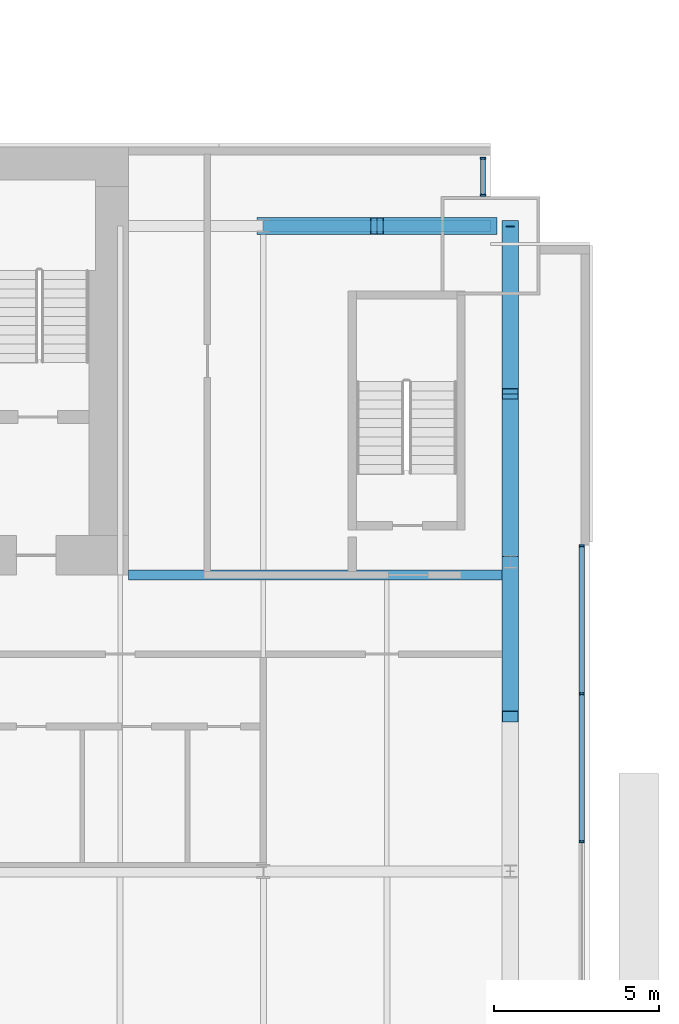
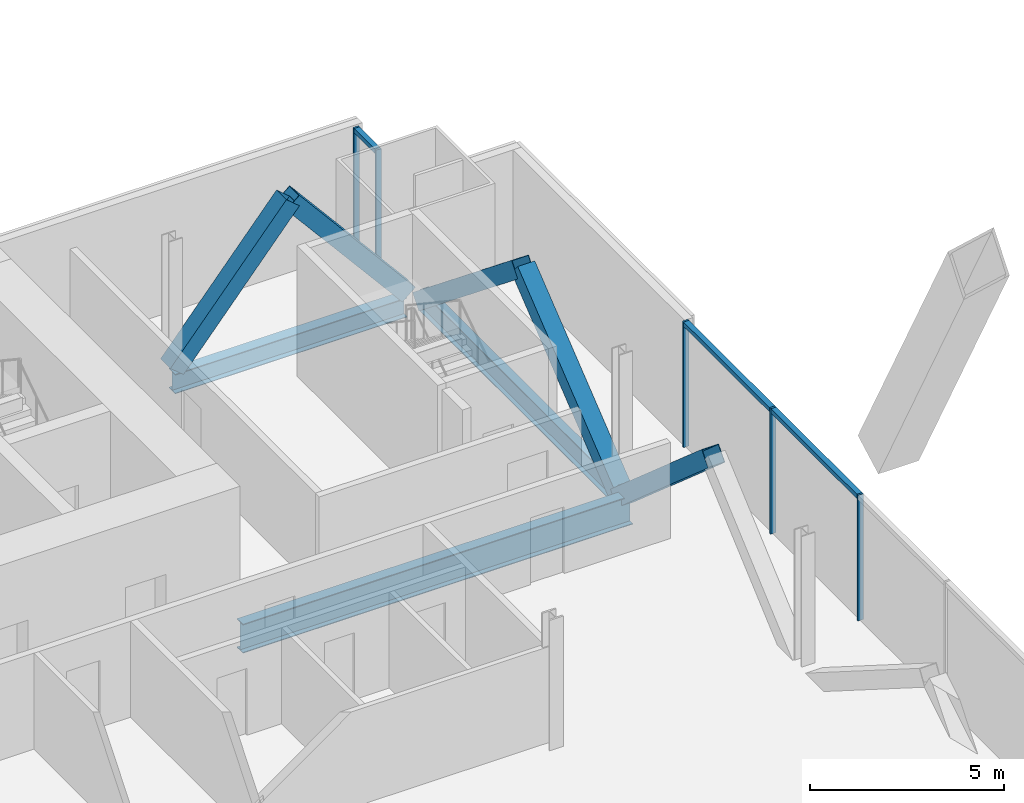
# One storey, part 15 of 23: 13 members, 3 beams, 2 elements without a shape of their own.
"""IFC4 building model written with IfcOpenShell, lengths in metres."""

from ifc_helpers import new_model, si_unit, direction, frame, origin, origin_2d, place, context, subcontext, project, spatial, rectangle, hollow_rectangle, i_section, extrude, material, material_profile, profile_set, type_object, element, aggregate, save


model = new_model("IFC4")

# Units and contexts
model_context = context("Model", 3, precision=1e-05, world=origin(), true_north=direction((0.0, 1.0)))
body_context = subcontext(model_context, "Body", "Model", "MODEL_VIEW")
ifc_project = project(units=[si_unit("LENGTHUNIT", "METRE"), si_unit("AREAUNIT", "SQUARE_METRE"), si_unit("VOLUMEUNIT", "CUBIC_METRE"), si_unit("PLANEANGLEUNIT", "RADIAN"), si_unit("MASSUNIT", "GRAM", prefix="KILO")], contexts=[model_context])

# Site, building, storey
site_placement = place(None, origin())
site = spatial("IfcSite", under=ifc_project, at=site_placement, CompositionType="ELEMENT")
building_placement = place(site_placement, origin())
building = spatial("IfcBuilding", under=site, at=building_placement, Name="Bicima Exchange Tower", CompositionType="ELEMENT")
storey_placement = place(building_placement, frame((0.0, 0.0, 110.39990234375)))
storey = spatial("IfcBuildingStorey", under=building, at=storey_placement, Name="L23", CompositionType="ELEMENT", Elevation=110.39990234375)

# Beam
ifc_material_1 = material(Name="Steel ASTM A992 Gr 50", Category="steel")
ifc_material_profile_1 = material_profile(ifc_material_1, i_section(OverallWidth=0.3046875, OverallDepth=0.911865234375, WebThickness=0.015869140625, FlangeThickness=0.02392578125, at=origin_2d()))
ifc_profile_set_1 = profile_set([ifc_material_profile_1], Name="Steel ASTM A992 Gr 50")
beam_type_1 = type_object("IfcBeamType", Name="Core-line girder W36x150", PredefinedType="BEAM", material=ifc_profile_set_1)
beam_1_placement = place(storey_placement, frame((22.0, -13.0, -0.605712890625), z_axis=(1.0, 0.0, 0.0), x_axis=(0.0, 1.0, 0.0)))
element("IfcBeam", 1, at=beam_1_placement, inside=storey, type_object=beam_type_1, Name="Core-line girder", PredefinedType="BEAM", context=body_context, shape_type="SweptSolid", body=[
    extrude(i_section(OverallWidth=0.3046875, OverallDepth=0.911865234375, WebThickness=0.015869140625, FlangeThickness=0.02392578125, at=origin_2d()), origin(), (0.0, 0.0, 1.0), 11.60009765625),
])

# Curtain wall, members
ifc_material_2 = material(Name="Anodised bronze aluminium", Category="aluminium")
curtain_wall_type_1 = type_object("IfcCurtainWallType", Name="End face glass wall", PredefinedType="NOTDEFINED", material=ifc_material_2)
curtain_wall_1_placement = place(storey_placement, origin())
curtain_wall_1 = element("IfcCurtainWall", 2, at=curtain_wall_1_placement, inside=storey, type_object=curtain_wall_type_1, Name="End face glass wall L23 run 19", PredefinedType="NOTDEFINED")
ifc_material_profile_2 = material_profile(ifc_material_2, rectangle(XDim=0.159912109375, YDim=0.06005859375, at=origin_2d()))
ifc_profile_set_2 = profile_set([ifc_material_profile_2], Name="Anodised bronze aluminium")
member_type_1 = type_object("IfcMemberType", Name="End face glass wall mullion 60 x 160", PredefinedType="MULLION", material=ifc_profile_set_2)
member_1_placement = place(storey_placement, frame((35.77001953125, -21.102783203125, 0.0), z_axis=(0.0, 0.0, 1.0), x_axis=(-1.0, 0.0, 0.0)))
member_1 = element("IfcMember", 3, at=member_1_placement, type_object=member_type_1, Name="End face glass wall mullion 4", PredefinedType="MULLION", context=body_context, shape_type="SweptSolid", body=[
    extrude(rectangle(XDim=0.159912109375, YDim=0.06005859375, at=origin_2d()), origin(), (0.0, 0.0, 1.0), 3.9501953125),
])
member_2_placement = place(storey_placement, frame((35.77001953125, -16.6064453125, 0.0), z_axis=(0.0, 0.0, 1.0), x_axis=(-1.0, 0.0, 0.0)))
member_2 = element("IfcMember", 4, at=member_2_placement, type_object=member_type_1, Name="End face glass wall mullion 5", PredefinedType="MULLION", context=body_context, shape_type="SweptSolid", body=[
    extrude(rectangle(XDim=0.159912109375, YDim=0.06005859375, at=origin_2d()), origin(), (0.0, 0.0, 1.0), 3.9501953125),
])
member_3_placement = place(storey_placement, frame((35.77001953125, -12.110107421875, 0.0), z_axis=(0.0, 0.0, 1.0), x_axis=(-1.0, 0.0, 0.0)))
member_3 = element("IfcMember", 5, at=member_3_placement, type_object=member_type_1, Name="End face glass wall mullion 6", PredefinedType="MULLION", context=body_context, shape_type="SweptSolid", body=[
    extrude(rectangle(XDim=0.159912109375, YDim=0.06005859375, at=origin_2d()), origin(), (0.0, 0.0, 1.0), 3.9501953125),
])
ifc_material_profile_3 = material_profile(ifc_material_2, rectangle(XDim=0.159912109375, YDim=0.139892578125, at=origin_2d()))
ifc_profile_set_3 = profile_set([ifc_material_profile_3], Name="Anodised bronze aluminium")
member_type_2 = type_object("IfcMemberType", Name="End face glass wall transom 140 x 160", PredefinedType="USERDEFINED", material=ifc_profile_set_3)
member_4_placement = place(storey_placement, frame((35.77001953125, -21.07275390625, 3.880126953125), z_axis=(0.0, 1.0, 0.0), x_axis=(-1.0, 0.0, 0.0)))
member_4 = element("IfcMember", 6, at=member_4_placement, type_object=member_type_2, Name="End face glass wall transom 4.1", ObjectType="TRANSOM", PredefinedType="USERDEFINED", context=body_context, shape_type="SweptSolid", body=[
    extrude(rectangle(XDim=0.159912109375, YDim=0.139892578125, at=origin_2d()), origin(), (0.0, 0.0, 1.0), 4.436279296875),
])
member_5_placement = place(storey_placement, frame((35.77001953125, -16.576416015625, 3.880126953125), z_axis=(0.0, 1.0, 0.0), x_axis=(-1.0, 0.0, 0.0)))
member_5 = element("IfcMember", 7, at=member_5_placement, type_object=member_type_2, Name="End face glass wall transom 5.1", ObjectType="TRANSOM", PredefinedType="USERDEFINED", context=body_context, shape_type="SweptSolid", body=[
    extrude(rectangle(XDim=0.159912109375, YDim=0.139892578125, at=origin_2d()), origin(), (0.0, 0.0, 1.0), 4.4365234375),
])
aggregate(curtain_wall_1, [member_1, member_2, member_3, member_4, member_5])

# Beam
ifc_material_profile_4 = material_profile(ifc_material_1, i_section(OverallWidth=0.256591796875, OverallDepth=0.693359375, WebThickness=0.014404296875, FlangeThickness=0.023681640625, at=origin_2d()))
ifc_profile_set_4 = profile_set([ifc_material_profile_4], Name="Steel ASTM A992 Gr 50")
beam_type_2 = type_object("IfcBeamType", Name="End girder W27x114", PredefinedType="BEAM", material=ifc_profile_set_4)
beam_2_placement = place(storey_placement, frame((33.60009765625, -2.39990234375, -0.49658203125), z_axis=(0.0, -1.0, 0.0), x_axis=(1.0, 0.0, 0.0)))
element("IfcBeam", 8, at=beam_2_placement, inside=storey, type_object=beam_type_2, Name="End girder", PredefinedType="BEAM", context=body_context, shape_type="SweptSolid", body=[
    extrude(i_section(OverallWidth=0.256591796875, OverallDepth=0.693359375, WebThickness=0.014404296875, FlangeThickness=0.023681640625, at=origin_2d()), origin(), (0.0, 0.0, 1.0), 10.2001953125),
])

# Curtain wall, members
curtain_wall_type_2 = type_object("IfcCurtainWallType", Name="Front glass wall", PredefinedType="NOTDEFINED", material=ifc_material_2)
curtain_wall_2_placement = place(storey_placement, origin())
curtain_wall_2 = element("IfcCurtainWall", 9, at=curtain_wall_2_placement, inside=storey, type_object=curtain_wall_type_2, Name="Front glass wall L23 run 20", PredefinedType="NOTDEFINED")
member_type_3 = type_object("IfcMemberType", Name="Front glass wall mullion 60 x 160", PredefinedType="MULLION", material=ifc_profile_set_2)
member_6_placement = place(storey_placement, frame((32.77001953125, -1.469970703125, 0.0), z_axis=(0.0, 0.0, 1.0), x_axis=(-1.0, 0.0, 0.0)))
member_6 = element("IfcMember", 10, at=member_6_placement, type_object=member_type_3, Name="Front glass wall mullion 1", PredefinedType="MULLION", context=body_context, shape_type="SweptSolid", body=[
    extrude(rectangle(XDim=0.159912109375, YDim=0.06005859375, at=origin_2d()), origin(), (0.0, 0.0, 1.0), 3.9501953125),
])
member_7_placement = place(storey_placement, frame((32.77001953125, -0.340087890625, 0.0), z_axis=(0.0, 0.0, 1.0), x_axis=(-1.0, 0.0, 0.0)))
member_7 = element("IfcMember", 11, at=member_7_placement, type_object=member_type_3, Name="Front glass wall mullion 2", PredefinedType="MULLION", context=body_context, shape_type="SweptSolid", body=[
    extrude(rectangle(XDim=0.159912109375, YDim=0.06005859375, at=origin_2d()), origin(), (0.0, 0.0, 1.0), 3.9501953125),
])
member_type_4 = type_object("IfcMemberType", Name="Front glass wall transom 140 x 160", PredefinedType="USERDEFINED", material=ifc_profile_set_3)
member_8_placement = place(storey_placement, frame((32.77001953125, -1.43994140625, 3.880126953125), z_axis=(0.0, 1.0, 0.0), x_axis=(-1.0, 0.0, 0.0)))
member_8 = element("IfcMember", 12, at=member_8_placement, type_object=member_type_4, Name="Front glass wall transom 1.1", ObjectType="TRANSOM", PredefinedType="USERDEFINED", context=body_context, shape_type="SweptSolid", body=[
    extrude(rectangle(XDim=0.159912109375, YDim=0.139892578125, at=origin_2d()), origin(), (0.0, 0.0, 1.0), 1.06982421875),
])
aggregate(curtain_wall_2, [member_6, member_7, member_8])

# Members
ifc_material_3 = material(Name="Steel ASTM A572 Gr 50", Category="steel")
ifc_material_profile_5 = material_profile(ifc_material_3, hollow_rectangle(XDim=0.508056640625, YDim=0.508056640625, WallThickness=0.0146484375, at=origin_2d()))
ifc_profile_set_5 = profile_set([ifc_material_profile_5], Name="Steel ASTM A572 Gr 50")
member_type_5 = type_object("IfcMemberType", Name="Mega brace HSS20x20x5/8", PredefinedType="BRACE", material=ifc_profile_set_5)
for number, where, z_axis, x_axis, name in (
    (13, (26.10009765625, -2.39990234375, 0.0), (0.643834042494, 0.0, 0.765165162384), (0.0, 1.0, 0.0), "Mega brace rear"),
    (14, (33.0, -2.39990234375, 0.0), (-0.643834042494, 0.0, 0.765165162384), (0.0, -1.0, 0.0), "Mega brace rear"),
):
    element("IfcMember", number, at=place(storey_placement, frame(where, z_axis=z_axis, x_axis=x_axis)), inside=storey, type_object=member_type_5, Name=name, PredefinedType="BRACE", context=body_context, shape_type="SweptSolid", body=[
        extrude(hollow_rectangle(XDim=0.508056640625, YDim=0.508056640625, WallThickness=0.0146484375, at=origin_2d()), origin(), (0.0, 0.0, 1.0), 5.3583984375),
    ])
for number, where, z_axis, x_axis, name in (
    (15, (33.60009765625, -2.39990234375, -0.49658203125), (0.0, -0.779374241895, 0.626558689247), (1.0, 0.0, 0.0), "Mega brace east end"),
    (16, (33.60009765625, -12.60009765625, -0.49658203125), (0.0, 0.779374241895, 0.626558689247), (-1.0, 0.0, 0.0), "Mega brace east end"),
):
    element("IfcMember", number, at=place(storey_placement, frame(where, z_axis=z_axis, x_axis=x_axis)), inside=storey, type_object=member_type_5, Name=name, PredefinedType="BRACE", context=body_context, shape_type="SweptSolid", body=[
        extrude(hollow_rectangle(XDim=0.508056640625, YDim=0.508056640625, WallThickness=0.0146484375, at=origin_2d()), origin(), (0.0, 0.0, 1.0), 6.5439453125),
    ])
member_9_placement = place(storey_placement, frame((33.60009765625, -12.60009765625, -0.49658203125), z_axis=(0.0, -0.753557917662, 0.657381521439), x_axis=(1.0, 0.0, 0.0)))
element("IfcMember", 17, at=member_9_placement, inside=storey, type_object=member_type_5, Name="Mega brace east end", PredefinedType="BRACE", context=body_context, shape_type="SweptSolid", body=[
    extrude(hollow_rectangle(XDim=0.508056640625, YDim=0.508056640625, WallThickness=0.0146484375, at=origin_2d()), origin(), (0.0, 0.0, 1.0), 6.237060546875),
])

# Beam
ifc_material_profile_6 = material_profile(ifc_material_1, i_section(OverallWidth=0.3251953125, OverallDepth=0.612060546875, WebThickness=0.0126953125, FlangeThickness=0.01904296875, at=origin_2d()))
ifc_profile_set_6 = profile_set([ifc_material_profile_6], Name="Steel ASTM A992 Gr 50")
beam_type_3 = type_object("IfcBeamType", Name="Rear girder W24x104", PredefinedType="BEAM", material=ifc_profile_set_6)
beam_3_placement = place(storey_placement, frame((26.10009765625, -2.39990234375, -0.4560546875), z_axis=(1.0, 0.0, 0.0), x_axis=(0.0, 1.0, 0.0)))
element("IfcBeam", 18, at=beam_3_placement, inside=storey, type_object=beam_type_3, Name="Rear girder", PredefinedType="BEAM", context=body_context, shape_type="SweptSolid", body=[
    extrude(i_section(OverallWidth=0.3251953125, OverallDepth=0.612060546875, WebThickness=0.0126953125, FlangeThickness=0.01904296875, at=origin_2d()), origin(), (0.0, 0.0, 1.0), 6.89990234375),
])

save(model, "model.ifc")
